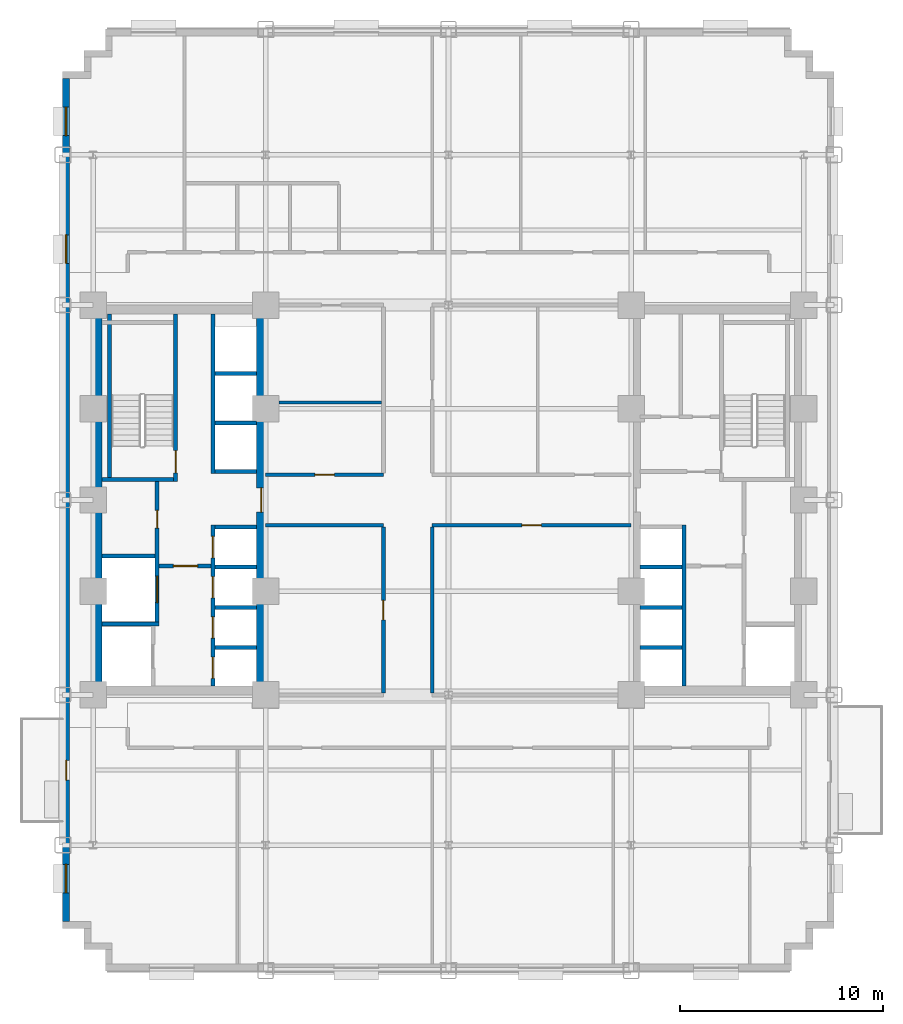
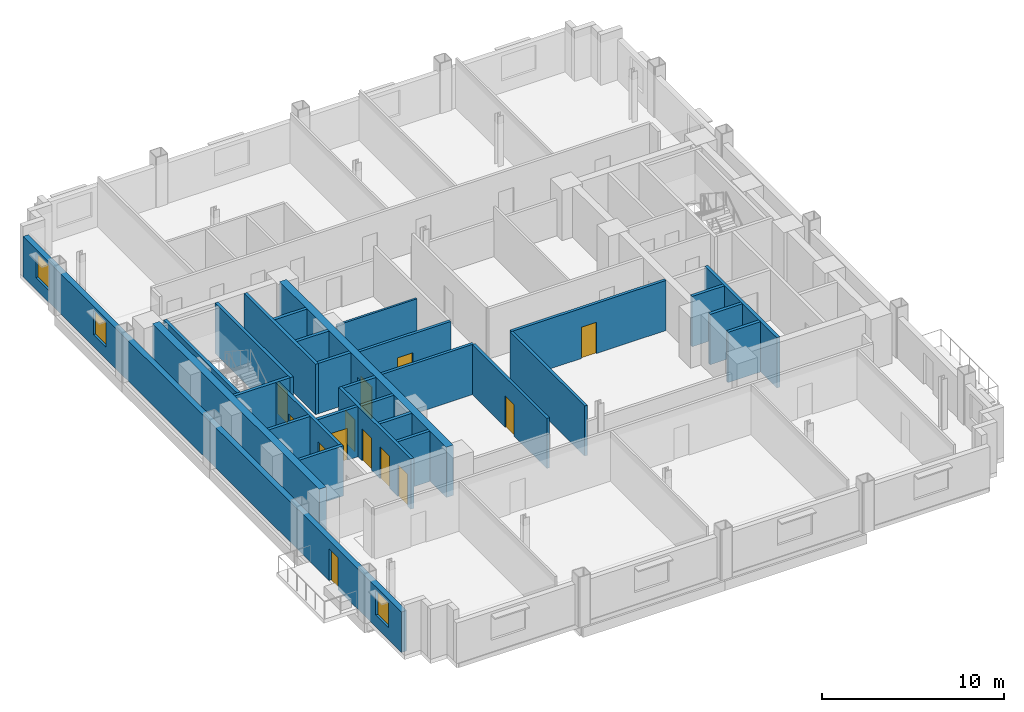
# One storey, part 5 of 12: 29 walls, 13 doors, 3 windows, 16 openings.
"""IFC4 building model written with IfcOpenShell, lengths in metres."""

from ifc_helpers import new_model, si_unit, direction, frame, frame_2d, origin, place, context, subcontext, project, spatial, rectangle, extrude, source, transform, mapped, material, layer, layer_set, type_object, type_shapes, element, fill, save


model = new_model("IFC4")

# Units and contexts
model_context = context("Model", 3, precision=1e-05, world=origin(), true_north=direction((0.0, 1.0)))
body_context = subcontext(model_context, "Body", "Model", "MODEL_VIEW")
ifc_project = project(units=[si_unit("LENGTHUNIT", "METRE"), si_unit("AREAUNIT", "SQUARE_METRE"), si_unit("VOLUMEUNIT", "CUBIC_METRE"), si_unit("PLANEANGLEUNIT", "RADIAN"), si_unit("MASSUNIT", "GRAM", prefix="KILO")], contexts=[model_context])

# Site, building, storey
site_placement = place(None, origin())
site = spatial("IfcSite", under=ifc_project, at=site_placement, CompositionType="ELEMENT")
building_placement = place(site_placement, origin())
building = spatial("IfcBuilding", under=site, at=building_placement, Name="Nuvemarco Arch Tower", CompositionType="ELEMENT")
storey_placement = place(building_placement, frame((0.0, 0.0, 42.199951171875)))
storey = spatial("IfcBuildingStorey", under=building, at=storey_placement, Name="L10", CompositionType="ELEMENT", Elevation=42.199951171875)

# Wall, openings, windows, door
ifc_material_1 = material(Name="Precast concrete C45/55", Category="concrete")
ifc_layer_1 = layer(ifc_material_1, 0.340087890625, Name="EW-LOW-340")
ifc_layer_set_1 = layer_set([ifc_layer_1], Name="Precast concrete C45/55")
wall_type_1 = type_object("IfcWallType", Name="EW-LOW-340", PredefinedType="STANDARD", material=ifc_layer_set_1)
wall_1_placement = place(storey_placement, frame((-18.830078125, -20.763916015625, 0.0), z_axis=(0.0, 0.0, 1.0), x_axis=(0.0, 1.0, 0.0)))
wall_1 = element("IfcWall", 1, at=wall_1_placement, inside=storey, type_object=wall_type_1, Name="L10 exterior precast facade wall 16", PredefinedType="STANDARD", context=body_context, shape_type="SweptSolid", body=[
    extrude(rectangle(XDim=41.52783203125, YDim=0.340087890625, at=frame_2d((20.763916015625, 0.0))), origin(), (0.0, 0.0, 1.0), 2.705078125),
])
opening_1_placement = place(wall_1_placement, frame((6.964111328125, 0.0, 0.0)))
opening_1 = element("IfcOpeningElement", 2, at=opening_1_placement, cuts=wall_1, Name="Opening ED-6", PredefinedType="OPENING", context=body_context, shape_type="SweptSolid", body=[
    extrude(rectangle(XDim=0.97998046875, YDim=2.14990234375, at=frame_2d((0.489990234375, 1.074951171875))), frame((0.0, 0.179931640625, 0.0), z_axis=(0.0, -1.0, 0.0), x_axis=(1.0, 0.0, 0.0)), (0.0, 0.0, 1.0), 0.360107421875),
])
opening_2_placement = place(wall_1_placement, frame((1.42041015625, 0.0, 0.800048828125)))
opening_2 = element("IfcOpeningElement", 3, at=opening_2_placement, cuts=wall_1, Name="Opening WN-4", PredefinedType="OPENING", context=body_context, shape_type="SweptSolid", body=[
    extrude(rectangle(XDim=1.39990234375, YDim=1.64990234375, at=frame_2d((0.699951171875, 0.824951171875))), frame((0.0, 0.179931640625, 0.0), z_axis=(0.0, -1.0, 0.0), x_axis=(1.0, 0.0, 0.0)), (0.0, 0.0, 1.0), 0.360107421875),
])
opening_3_placement = place(wall_1_placement, frame((32.41650390625, 0.0, 0.800048828125)))
opening_3 = element("IfcOpeningElement", 4, at=opening_3_placement, cuts=wall_1, Name="Opening WN-4", PredefinedType="OPENING", context=body_context, shape_type="SweptSolid", body=[
    extrude(rectangle(XDim=1.39990234375, YDim=1.64990234375, at=frame_2d((0.699951171875, 0.824951171875))), frame((0.0, 0.179931640625, 0.0), z_axis=(0.0, -1.0, 0.0), x_axis=(1.0, 0.0, 0.0)), (0.0, 0.0, 1.0), 0.360107421875),
])
opening_4_placement = place(wall_1_placement, frame((38.70751953125, 0.0, 0.800048828125)))
opening_4 = element("IfcOpeningElement", 5, at=opening_4_placement, cuts=wall_1, Name="Opening WN-4", PredefinedType="OPENING", context=body_context, shape_type="SweptSolid", body=[
    extrude(rectangle(XDim=1.39990234375, YDim=1.64990234375, at=frame_2d((0.699951171875, 0.824951171875))), frame((0.0, 0.179931640625, 0.0), z_axis=(0.0, -1.0, 0.0), x_axis=(1.0, 0.0, 0.0)), (0.0, 0.0, 1.0), 0.360107421875),
])
ifc_material_2 = material(Name="Insulated solar-control glass", Category="glass")
window_type = type_object("IfcWindowType", Name="WN-LOW-1400x1650", PartitioningType="SINGLE_PANEL", PredefinedType="WINDOW", material=ifc_material_2)
shared_shape_1 = source(origin(), body_context, "Body", "SweptSolid", [
    extrude(rectangle(XDim=1.39990234375, YDim=1.64990234375, at=frame_2d((0.699951171875, 0.824951171875))), frame((0.0, 0.030029296875, 0.0), z_axis=(0.0, -1.0, 0.0), x_axis=(1.0, 0.0, 0.0)), (0.0, 0.0, 1.0), 0.06005859375),
])
type_shapes(window_type, [shared_shape_1])
window_1_placement = place(opening_2_placement, origin())
window_1 = element("IfcWindow", 6, at=window_1_placement, inside=storey, type_object=window_type, Name="L10 punched facade window 1", OverallHeight=1.64990234375, OverallWidth=1.39990234375, PartitioningType="SINGLE_PANEL", PredefinedType="WINDOW", context=body_context, shape_type="MappedRepresentation", body=[
    mapped(shared_shape_1, transform((0.0, 0.0, 0.0), scale=1.0)),
])
fill(opening_2, window_1)
window_2_placement = place(opening_3_placement, origin())
window_2 = element("IfcWindow", 7, at=window_2_placement, inside=storey, type_object=window_type, Name="L10 punched facade window 7", OverallHeight=1.64990234375, OverallWidth=1.39990234375, PartitioningType="SINGLE_PANEL", PredefinedType="WINDOW", context=body_context, shape_type="MappedRepresentation", body=[
    mapped(shared_shape_1, transform((0.0, 0.0, 0.0), scale=1.0)),
])
fill(opening_3, window_2)
window_3_placement = place(opening_4_placement, origin())
window_3 = element("IfcWindow", 8, at=window_3_placement, inside=storey, type_object=window_type, Name="L10 punched facade window 8", OverallHeight=1.64990234375, OverallWidth=1.39990234375, PartitioningType="SINGLE_PANEL", PredefinedType="WINDOW", context=body_context, shape_type="MappedRepresentation", body=[
    mapped(shared_shape_1, transform((0.0, 0.0, 0.0), scale=1.0)),
])
fill(opening_4, window_3)
ifc_material_3 = material(Name="Anodised bronze and laminated glass", Category="glass")
door_type_1 = type_object("IfcDoorType", Name="DR-EXT-BALC", OperationType="NOTDEFINED", PredefinedType="DOOR", material=ifc_material_3)
shared_shape_2 = source(origin(), body_context, "Body", "SweptSolid", [
    extrude(rectangle(XDim=0.97998046875, YDim=2.14990234375, at=frame_2d((0.489990234375, 1.074951171875))), frame((0.0, 0.02490234375, 0.0), z_axis=(0.0, -1.0, 0.0), x_axis=(1.0, 0.0, 0.0)), (0.0, 0.0, 1.0), 0.050048828125),
])
type_shapes(door_type_1, [shared_shape_2])
door_1_placement = place(opening_1_placement, origin())
door_1 = element("IfcDoor", 9, at=door_1_placement, inside=storey, type_object=door_type_1, Name="L10 tree balcony access door", OperationType="SINGLE_SWING_LEFT", OverallHeight=2.14990234375, OverallWidth=0.97998046875, PredefinedType="DOOR", context=body_context, shape_type="MappedRepresentation", body=[
    mapped(shared_shape_2, transform((0.0, 0.0, 0.0), scale=1.0)),
])
fill(opening_1, door_1)

# Wall
ifc_material_4 = material(Name="Concrete C60/75", Category="concrete")
ifc_layer_2 = layer(ifc_material_4, 0.449951171875, Name="WL-CORE-450")
ifc_layer_set_2 = layer_set([ifc_layer_2], Name="Concrete C60/75")
wall_type_2 = type_object("IfcWallType", Name="WL-CORE-450", PredefinedType="SHEAR", material=ifc_layer_set_2)
wall_2_placement = place(storey_placement, frame((-17.27490234375, -9.155029296875, 0.0), z_axis=(0.0, 0.0, 1.0), x_axis=(0.0, 1.0, 0.0)))
element("IfcWall", 10, at=wall_2_placement, inside=storey, type_object=wall_type_2, Name="L10 W-core shear wall W", PredefinedType="SHEAR", context=body_context, shape_type="SweptSolid", body=[
    extrude(rectangle(XDim=18.31005859375, YDim=0.449951171875, at=frame_2d((9.155029296875, 0.0))), origin(), (0.0, 0.0, 1.0), 3.3701171875),
])

# Wall, opening, door
wall_3_placement = place(storey_placement, frame((-9.22509765625, -9.155029296875, 0.0), z_axis=(0.0, 0.0, 1.0), x_axis=(0.0, 1.0, 0.0)))
wall_3 = element("IfcWall", 11, at=wall_3_placement, inside=storey, type_object=wall_type_2, Name="L10 W-core shear wall E", PredefinedType="SHEAR", context=body_context, shape_type="SweptSolid", body=[
    extrude(rectangle(XDim=18.31005859375, YDim=0.449951171875, at=frame_2d((9.155029296875, 0.0))), origin(), (0.0, 0.0, 1.0), 3.3701171875),
])
opening_5_placement = place(wall_3_placement, frame((8.554931640625, 0.0, 0.0)))
opening_5 = element("IfcOpeningElement", 12, at=opening_5_placement, cuts=wall_3, Name="Opening FD-2", PredefinedType="OPENING", context=body_context, shape_type="SweptSolid", body=[
    extrude(rectangle(XDim=1.199951171875, YDim=2.14990234375, at=frame_2d((0.60009765625, 1.074951171875))), frame((0.0, 0.23486328125, 0.0), z_axis=(0.0, -1.0, 0.0), x_axis=(1.0, 0.0, 0.0)), (0.0, 0.0, 1.0), 0.469970703125),
])
ifc_material_5 = material(Name="Anodised steel fire door", Category="steel")
door_type_2 = type_object("IfcDoorType", Name="DR-FFLOB-FD", OperationType="NOTDEFINED", PredefinedType="DOOR", material=ifc_material_5)
shared_shape_3 = source(origin(), body_context, "Body", "SweptSolid", [
    extrude(rectangle(XDim=1.199951171875, YDim=2.14990234375, at=frame_2d((0.60009765625, 1.074951171875))), frame((0.0, 0.02490234375, 0.0), z_axis=(0.0, -1.0, 0.0), x_axis=(1.0, 0.0, 0.0)), (0.0, 0.0, 1.0), 0.050048828125),
])
type_shapes(door_type_2, [shared_shape_3])
door_2_placement = place(opening_5_placement, origin())
door_2 = element("IfcDoor", 13, at=door_2_placement, inside=storey, type_object=door_type_2, Name="L10 door FD-L10-WCORE-E", OperationType="SINGLE_SWING_RIGHT", OverallHeight=2.14990234375, OverallWidth=1.199951171875, PredefinedType="DOOR", context=body_context, shape_type="MappedRepresentation", body=[
    mapped(shared_shape_3, transform((0.0, 0.0, 0.0), scale=1.0)),
])
fill(opening_5, door_2)

# Wall
ifc_material_6 = material(Name="Fire-rated gypsum drywall partition")
ifc_layer_3 = layer(ifc_material_6, 0.179931640625, Name="WL-CORR-180")
ifc_layer_set_3 = layer_set([ifc_layer_3], Name="Fire-rated gypsum drywall partition")
wall_type_3 = type_object("IfcWallType", Name="WL-CORR-180", PredefinedType="PARTITIONING", material=ifc_layer_set_3)
wall_4_placement = place(storey_placement, frame((-9.0, -1.25, 0.0), z_axis=(0.0, 0.0, 1.0), x_axis=(1.0, 0.0, 0.0)))
element("IfcWall", 14, at=wall_4_placement, inside=storey, type_object=wall_type_3, Name="L10 interior wall IW-L10-005", PredefinedType="PARTITIONING", context=body_context, shape_type="SweptSolid", body=[
    extrude(rectangle(XDim=5.800048828125, YDim=0.179931640625, at=frame_2d((2.89990234375, 0.0))), origin(), (0.0, 0.0, 1.0), 3.360107421875),
])

# Wall, opening, door
wall_5_placement = place(storey_placement, frame((-0.800048828125, -1.25, 0.0), z_axis=(0.0, 0.0, 1.0), x_axis=(1.0, 0.0, 0.0)))
wall_5 = element("IfcWall", 15, at=wall_5_placement, inside=storey, type_object=wall_type_3, Name="L10 interior wall IW-L10-006", PredefinedType="PARTITIONING", context=body_context, shape_type="SweptSolid", body=[
    extrude(rectangle(XDim=9.800048828125, YDim=0.179931640625, at=frame_2d((4.89990234375, 0.0))), origin(), (0.0, 0.0, 1.0), 3.360107421875),
])
opening_6_placement = place(wall_5_placement, frame((4.419921875, 0.0, 0.0)))
opening_6 = element("IfcOpeningElement", 16, at=opening_6_placement, cuts=wall_5, Name="Opening FD-5", PredefinedType="OPENING", context=body_context, shape_type="SweptSolid", body=[
    extrude(rectangle(XDim=0.9599609375, YDim=2.10009765625, at=frame_2d((0.47998046875, 1.050048828125))), frame((0.0, 0.099853515625, 0.0), z_axis=(0.0, -1.0, 0.0), x_axis=(1.0, 0.0, 0.0)), (0.0, 0.0, 1.0), 0.199951171875),
])
ifc_material_7 = material(Name="Timber fire door", Category="wood")
door_type_3 = type_object("IfcDoorType", Name="DR-CORR-FD", OperationType="NOTDEFINED", PredefinedType="DOOR", material=ifc_material_7)
shared_shape_4 = source(origin(), body_context, "Body", "SweptSolid", [
    extrude(rectangle(XDim=0.9599609375, YDim=2.10009765625, at=frame_2d((0.47998046875, 1.050048828125))), frame((0.0, 0.02490234375, 0.0), z_axis=(0.0, -1.0, 0.0), x_axis=(1.0, 0.0, 0.0)), (0.0, 0.0, 1.0), 0.050048828125),
])
type_shapes(door_type_3, [shared_shape_4])
door_3_placement = place(opening_6_placement, origin())
door_3 = element("IfcDoor", 17, at=door_3_placement, inside=storey, type_object=door_type_3, Name="L10 door DR-L10-C_SE", OperationType="SINGLE_SWING_LEFT", OverallHeight=2.10009765625, OverallWidth=0.9599609375, PredefinedType="DOOR", context=body_context, shape_type="MappedRepresentation", body=[
    mapped(shared_shape_4, transform((0.0, 0.0, 0.0), scale=1.0)),
])
fill(opening_6, door_3)

wall_6_placement = place(storey_placement, frame((-9.0, 1.25, 0.0), z_axis=(0.0, 0.0, 1.0), x_axis=(1.0, 0.0, 0.0)))
wall_6 = element("IfcWall", 18, at=wall_6_placement, inside=storey, type_object=wall_type_3, Name="L10 interior wall IW-L10-007", PredefinedType="PARTITIONING", context=body_context, shape_type="SweptSolid", body=[
    extrude(rectangle(XDim=5.800048828125, YDim=0.179931640625, at=frame_2d((2.89990234375, 0.0))), origin(), (0.0, 0.0, 1.0), 3.360107421875),
])
opening_7_placement = place(wall_6_placement, frame((2.419921875, 0.0, 0.0)))
opening_7 = element("IfcOpeningElement", 19, at=opening_7_placement, cuts=wall_6, Name="Opening FD-5", PredefinedType="OPENING", context=body_context, shape_type="SweptSolid", body=[
    extrude(rectangle(XDim=0.9599609375, YDim=2.10009765625, at=frame_2d((0.47998046875, 1.050048828125))), frame((0.0, 0.099853515625, 0.0), z_axis=(0.0, -1.0, 0.0), x_axis=(1.0, 0.0, 0.0)), (0.0, 0.0, 1.0), 0.199951171875),
])
door_4_placement = place(opening_7_placement, origin())
door_4 = element("IfcDoor", 20, at=door_4_placement, inside=storey, type_object=door_type_3, Name="L10 door DR-L10-C_NW1", OperationType="SINGLE_SWING_LEFT", OverallHeight=2.10009765625, OverallWidth=0.9599609375, PredefinedType="DOOR", context=body_context, shape_type="MappedRepresentation", body=[
    mapped(shared_shape_4, transform((0.0, 0.0, 0.0), scale=1.0)),
])
fill(opening_7, door_4)

wall_7_placement = place(storey_placement, frame((-3.199951171875, -9.513916015625, 0.0), z_axis=(0.0, 0.0, 1.0), x_axis=(0.0, 1.0, 0.0)))
wall_7 = element("IfcWall", 21, at=wall_7_placement, inside=storey, type_object=wall_type_3, Name="L10 interior wall IW-L10-022", PredefinedType="PARTITIONING", context=body_context, shape_type="SweptSolid", body=[
    extrude(rectangle(XDim=8.177978515625, YDim=0.179931640625, at=frame_2d((4.0888671875, 0.0))), origin(), (0.0, 0.0, 1.0), 3.360107421875),
])
opening_8_placement = place(wall_7_placement, frame((3.60888671875, 0.0, 0.0)))
opening_8 = element("IfcOpeningElement", 22, at=opening_8_placement, cuts=wall_7, Name="Opening FD-5", PredefinedType="OPENING", context=body_context, shape_type="SweptSolid", body=[
    extrude(rectangle(XDim=0.9599609375, YDim=2.10009765625, at=frame_2d((0.47998046875, 1.050048828125))), frame((0.0, 0.099853515625, 0.0), z_axis=(0.0, -1.0, 0.0), x_axis=(1.0, 0.0, 0.0)), (0.0, 0.0, 1.0), 0.199951171875),
])
door_5_placement = place(opening_8_placement, origin())
door_5 = element("IfcDoor", 23, at=door_5_placement, inside=storey, type_object=door_type_3, Name="L10 door DR-L10-C_SW", OperationType="SINGLE_SWING_LEFT", OverallHeight=2.10009765625, OverallWidth=0.9599609375, PredefinedType="DOOR", context=body_context, shape_type="MappedRepresentation", body=[
    mapped(shared_shape_4, transform((0.0, 0.0, 0.0), scale=1.0)),
])
fill(opening_8, door_5)

# Walls
wall_8_placement = place(storey_placement, frame((-0.800048828125, -9.513916015625, 0.0), z_axis=(0.0, 0.0, 1.0), x_axis=(0.0, 1.0, 0.0)))
element("IfcWall", 24, at=wall_8_placement, inside=storey, type_object=wall_type_3, Name="L10 interior wall IW-L10-025", PredefinedType="PARTITIONING", context=body_context, shape_type="SweptSolid", body=[
    extrude(rectangle(XDim=8.177978515625, YDim=0.179931640625, at=frame_2d((4.0888671875, 0.0))), origin(), (0.0, 0.0, 1.0), 3.360107421875),
])
ifc_material_8 = material(Name="Glazed acoustic office partition")
ifc_layer_4 = layer(ifc_material_8, 0.1298828125, Name="WL-EXEC-130")
ifc_layer_set_4 = layer_set([ifc_layer_4], Name="Glazed acoustic office partition")
wall_type_4 = type_object("IfcWallType", Name="WL-EXEC-130", PredefinedType="PARTITIONING", material=ifc_layer_set_4)
wall_9_placement = place(storey_placement, frame((-8.35400390625, 4.800048828125, 0.0), z_axis=(0.0, 0.0, 1.0), x_axis=(1.0, 0.0, 0.0)))
element("IfcWall", 25, at=wall_9_placement, inside=storey, type_object=wall_type_4, Name="L10 interior wall IW-L10-009", PredefinedType="PARTITIONING", context=body_context, shape_type="SweptSolid", body=[
    extrude(rectangle(XDim=5.068115234375, YDim=0.1298828125, at=frame_2d((2.5341796875, 0.0))), origin(), (0.0, 0.0, 1.0), 2.738037109375),
])

# Wall, opening, door
ifc_material_9 = material(Name="Concrete C50/60", Category="concrete")
ifc_layer_5 = layer(ifc_material_9, 0.199951171875, Name="WL-SHAFT-220")
ifc_layer_set_5 = layer_set([ifc_layer_5], Name="Concrete C50/60")
wall_type_5 = type_object("IfcWallType", Name="WL-SHAFT-220", PredefinedType="SHEAR", material=ifc_layer_set_5)
wall_10_placement = place(storey_placement, frame((-13.43994140625, 0.89990234375, 0.0), z_axis=(0.0, 0.0, 1.0), x_axis=(0.0, 1.0, 0.0)))
wall_10 = element("IfcWall", 26, at=wall_10_placement, inside=storey, type_object=wall_type_5, Name="L10 structural shaft wall SW-L10-W-ST1E", PredefinedType="SHEAR", context=body_context, shape_type="SweptSolid", body=[
    extrude(rectangle(XDim=8.255126953125, YDim=0.199951171875, at=frame_2d((4.12744140625, 0.0))), origin(), (0.0, 0.0, 1.0), 3.3701171875),
])
opening_9_placement = place(wall_10_placement, frame((1.530029296875, 0.0, 0.0), z_axis=(0.0, 0.0, 1.0), x_axis=(-1.0, 0.0, 0.0)))
opening_9 = element("IfcOpeningElement", 27, at=opening_9_placement, cuts=wall_10, Name="Opening FD-1", PredefinedType="OPENING", context=body_context, shape_type="SweptSolid", body=[
    extrude(rectangle(XDim=1.10009765625, YDim=2.14990234375, at=frame_2d((0.550048828125, 1.074951171875))), frame((0.0, 0.10986328125, 0.0), z_axis=(0.0, -1.0, 0.0), x_axis=(1.0, 0.0, 0.0)), (0.0, 0.0, 1.0), 0.219970703125),
])
door_type_4 = type_object("IfcDoorType", Name="DR-STAIR-FD", OperationType="NOTDEFINED", PredefinedType="DOOR", material=ifc_material_5)
shared_shape_5 = source(origin(), body_context, "Body", "SweptSolid", [
    extrude(rectangle(XDim=1.10009765625, YDim=2.14990234375, at=frame_2d((0.550048828125, 1.074951171875))), frame((0.0, 0.02490234375, 0.0), z_axis=(0.0, -1.0, 0.0), x_axis=(1.0, 0.0, 0.0)), (0.0, 0.0, 1.0), 0.050048828125),
])
type_shapes(door_type_4, [shared_shape_5])
door_6_placement = place(opening_9_placement, origin())
door_6 = element("IfcDoor", 28, at=door_6_placement, inside=storey, type_object=door_type_4, Name="L10 door FD-L10-ST1", OperationType="SINGLE_SWING_RIGHT", OverallHeight=2.14990234375, OverallWidth=1.10009765625, PredefinedType="DOOR", context=body_context, shape_type="MappedRepresentation", body=[
    mapped(shared_shape_5, transform((0.0, 0.0, 0.0), scale=1.0)),
])
fill(opening_9, door_6)

# Walls
wall_11_placement = place(storey_placement, frame((-17.054931640625, 1.0, 0.0), z_axis=(0.0, 0.0, 1.0), x_axis=(1.0, 0.0, 0.0)))
element("IfcWall", 29, at=wall_11_placement, inside=storey, type_object=wall_type_5, Name="L10 structural shaft wall SW-L10-W-ST1S", PredefinedType="SHEAR", context=body_context, shape_type="SweptSolid", body=[
    extrude(rectangle(XDim=3.52001953125, YDim=0.199951171875, at=frame_2d((1.760009765625, 0.0))), origin(), (0.0, 0.0, 1.0), 3.3701171875),
])
wall_12_placement = place(storey_placement, frame((-16.699951171875, 1.094970703125, 0.0), z_axis=(0.0, 0.0, 1.0), x_axis=(0.0, 1.0, 0.0)))
element("IfcWall", 30, at=wall_12_placement, inside=storey, type_object=wall_type_5, Name="L10 structural shaft wall SW-L10-W-ST1W", PredefinedType="SHEAR", context=body_context, shape_type="SweptSolid", body=[
    extrude(rectangle(XDim=8.06005859375, YDim=0.199951171875, at=frame_2d((4.030029296875, 0.0))), origin(), (0.0, 0.0, 1.0), 3.3701171875),
])

# Wall, openings, doors
wall_13_placement = place(storey_placement, frame((-14.35009765625, -6.199951171875, 0.0), z_axis=(0.0, 0.0, 1.0), x_axis=(0.0, 1.0, 0.0)))
wall_13 = element("IfcWall", 31, at=wall_13_placement, inside=storey, type_object=wall_type_5, Name="L10 structural shaft wall SW-L10-W-SVE", PredefinedType="SHEAR", context=body_context, shape_type="SweptSolid", body=[
    extrude(rectangle(XDim=7.10498046875, YDim=0.199951171875, at=frame_2d((3.552490234375, 0.0))), origin(), (0.0, 0.0, 1.0), 3.3701171875),
])
opening_10_placement = place(wall_13_placement, frame((5.68994140625, 0.0, 0.0), z_axis=(0.0, 0.0, 1.0), x_axis=(-1.0, 0.0, 0.0)))
opening_10 = element("IfcOpeningElement", 32, at=opening_10_placement, cuts=wall_13, Name="Opening FD-4", PredefinedType="OPENING", context=body_context, shape_type="SweptSolid", body=[
    extrude(rectangle(XDim=0.8798828125, YDim=2.10009765625, at=frame_2d((0.43994140625, 1.050048828125))), frame((0.0, 0.10986328125, 0.0), z_axis=(0.0, -1.0, 0.0), x_axis=(1.0, 0.0, 0.0)), (0.0, 0.0, 1.0), 0.219970703125),
])
opening_11_placement = place(wall_13_placement, frame((1.14990234375, 0.0, 0.0)))
opening_11 = element("IfcOpeningElement", 33, at=opening_11_placement, cuts=wall_13, Name="Opening LD-3", PredefinedType="OPENING", context=body_context, shape_type="SweptSolid", body=[
    extrude(rectangle(XDim=1.300048828125, YDim=2.199951171875, at=frame_2d((0.64990234375, 1.10009765625))), frame((0.0, 0.10986328125, 0.0), z_axis=(0.0, -1.0, 0.0), x_axis=(1.0, 0.0, 0.0)), (0.0, 0.0, 1.0), 0.219970703125),
])
door_type_5 = type_object("IfcDoorType", Name="DR-RISER-FD", OperationType="NOTDEFINED", PredefinedType="DOOR", material=ifc_material_5)
shared_shape_6 = source(origin(), body_context, "Body", "SweptSolid", [
    extrude(rectangle(XDim=0.8798828125, YDim=2.10009765625, at=frame_2d((0.43994140625, 1.050048828125))), frame((0.0, 0.02490234375, 0.0), z_axis=(0.0, -1.0, 0.0), x_axis=(1.0, 0.0, 0.0)), (0.0, 0.0, 1.0), 0.050048828125),
])
type_shapes(door_type_5, [shared_shape_6])
door_7_placement = place(opening_10_placement, origin())
door_7 = element("IfcDoor", 34, at=door_7_placement, inside=storey, type_object=door_type_5, Name="L10 door FD-L10-WRIS", OperationType="SINGLE_SWING_RIGHT", OverallHeight=2.10009765625, OverallWidth=0.8798828125, PredefinedType="DOOR", context=body_context, shape_type="MappedRepresentation", body=[
    mapped(shared_shape_6, transform((0.0, 0.0, 0.0), scale=1.0)),
])
fill(opening_10, door_7)
ifc_material_10 = material(Name="Stainless steel lift door", Category="steel")
door_type_6 = type_object("IfcDoorType", Name="DR-LIFT-SERV", OperationType="DOUBLE_DOOR_SLIDING", PredefinedType="DOOR", material=ifc_material_10)
shared_shape_7 = source(origin(), body_context, "Body", "SweptSolid", [
    extrude(rectangle(XDim=1.300048828125, YDim=2.199951171875, at=frame_2d((0.64990234375, 1.10009765625))), frame((0.0, 0.02490234375, 0.0), z_axis=(0.0, -1.0, 0.0), x_axis=(1.0, 0.0, 0.0)), (0.0, 0.0, 1.0), 0.050048828125),
])
type_shapes(door_type_6, [shared_shape_7])
door_8_placement = place(opening_11_placement, origin())
door_8 = element("IfcDoor", 35, at=door_8_placement, inside=storey, type_object=door_type_6, Name="L10 Lift landing sliding door SVL-1", OperationType="DOUBLE_DOOR_SLIDING", OverallHeight=2.199951171875, OverallWidth=1.300048828125, PredefinedType="DOOR", context=body_context, shape_type="MappedRepresentation", body=[
    mapped(shared_shape_7, transform((0.0, 0.0, 0.0), scale=1.0)),
])
fill(opening_11, door_8)

# Walls
wall_14_placement = place(storey_placement, frame((-17.054931640625, -6.10009765625, 0.0), z_axis=(0.0, 0.0, 1.0), x_axis=(1.0, 0.0, 0.0)))
element("IfcWall", 36, at=wall_14_placement, inside=storey, type_object=wall_type_5, Name="L10 structural shaft wall SW-L10-W-SH1", PredefinedType="SHEAR", context=body_context, shape_type="SweptSolid", body=[
    extrude(rectangle(XDim=2.804931640625, YDim=0.199951171875, at=frame_2d((1.40234375, 0.0))), origin(), (0.0, 0.0, 1.0), 3.3701171875),
])
wall_15_placement = place(storey_placement, frame((-17.054931640625, -2.75, 0.0), z_axis=(0.0, 0.0, 1.0), x_axis=(1.0, 0.0, 0.0)))
element("IfcWall", 37, at=wall_15_placement, inside=storey, type_object=wall_type_5, Name="L10 structural shaft wall SW-L10-W-SH2", PredefinedType="SHEAR", context=body_context, shape_type="SweptSolid", body=[
    extrude(rectangle(XDim=2.60986328125, YDim=0.199951171875, at=frame_2d((1.304931640625, 0.0))), origin(), (0.0, 0.0, 1.0), 3.3701171875),
])

# Wall, openings, doors
wall_16_placement = place(storey_placement, frame((-11.60009765625, -9.155029296875, 0.0), z_axis=(0.0, 0.0, 1.0), x_axis=(0.0, 1.0, 0.0)))
wall_16 = element("IfcWall", 38, at=wall_16_placement, inside=storey, type_object=wall_type_5, Name="L10 structural shaft wall SW-L10-W-PLW", PredefinedType="SHEAR", context=body_context, shape_type="SweptSolid", body=[
    extrude(rectangle(XDim=7.925048828125, YDim=0.199951171875, at=frame_2d((3.96240234375, 0.0))), origin(), (0.0, 0.0, 1.0), 3.3701171875),
])
opening_12_placement = place(wall_16_placement, frame((0.3701171875, 0.0, 0.0)))
opening_12 = element("IfcOpeningElement", 39, at=opening_12_placement, cuts=wall_16, Name="Opening LD-1", PredefinedType="OPENING", context=body_context, shape_type="SweptSolid", body=[
    extrude(rectangle(XDim=1.050048828125, YDim=2.14990234375, at=frame_2d((0.52490234375, 1.074951171875))), frame((0.0, 0.10986328125, 0.0), z_axis=(0.0, -1.0, 0.0), x_axis=(1.0, 0.0, 0.0)), (0.0, 0.0, 1.0), 0.219970703125),
])
opening_13_placement = place(wall_16_placement, frame((2.35009765625, 0.0, 0.0)))
opening_13 = element("IfcOpeningElement", 40, at=opening_13_placement, cuts=wall_16, Name="Opening LD-1", PredefinedType="OPENING", context=body_context, shape_type="SweptSolid", body=[
    extrude(rectangle(XDim=1.050048828125, YDim=2.14990234375, at=frame_2d((0.52490234375, 1.074951171875))), frame((0.0, 0.10986328125, 0.0), z_axis=(0.0, -1.0, 0.0), x_axis=(1.0, 0.0, 0.0)), (0.0, 0.0, 1.0), 0.219970703125),
])
opening_14_placement = place(wall_16_placement, frame((4.330078125, 0.0, 0.0)))
opening_14 = element("IfcOpeningElement", 41, at=opening_14_placement, cuts=wall_16, Name="Opening LD-1", PredefinedType="OPENING", context=body_context, shape_type="SweptSolid", body=[
    extrude(rectangle(XDim=1.050048828125, YDim=2.14990234375, at=frame_2d((0.52490234375, 1.074951171875))), frame((0.0, 0.10986328125, 0.0), z_axis=(0.0, -1.0, 0.0), x_axis=(1.0, 0.0, 0.0)), (0.0, 0.0, 1.0), 0.219970703125),
])
opening_15_placement = place(wall_16_placement, frame((6.31005859375, 0.0, 0.0)))
opening_15 = element("IfcOpeningElement", 42, at=opening_15_placement, cuts=wall_16, Name="Opening LD-1", PredefinedType="OPENING", context=body_context, shape_type="SweptSolid", body=[
    extrude(rectangle(XDim=1.050048828125, YDim=2.14990234375, at=frame_2d((0.52490234375, 1.074951171875))), frame((0.0, 0.10986328125, 0.0), z_axis=(0.0, -1.0, 0.0), x_axis=(1.0, 0.0, 0.0)), (0.0, 0.0, 1.0), 0.219970703125),
])
door_type_7 = type_object("IfcDoorType", Name="DR-LIFT-PASS", OperationType="DOUBLE_DOOR_SLIDING", PredefinedType="DOOR", material=ifc_material_10)
shared_shape_8 = source(origin(), body_context, "Body", "SweptSolid", [
    extrude(rectangle(XDim=1.050048828125, YDim=2.14990234375, at=frame_2d((0.52490234375, 1.074951171875))), frame((0.0, 0.02490234375, 0.0), z_axis=(0.0, -1.0, 0.0), x_axis=(1.0, 0.0, 0.0)), (0.0, 0.0, 1.0), 0.050048828125),
])
type_shapes(door_type_7, [shared_shape_8])
door_9_placement = place(opening_12_placement, origin())
door_9 = element("IfcDoor", 43, at=door_9_placement, inside=storey, type_object=door_type_7, Name="L10 Lift landing sliding door PL-1", OperationType="DOUBLE_DOOR_SLIDING", OverallHeight=2.14990234375, OverallWidth=1.050048828125, PredefinedType="DOOR", context=body_context, shape_type="MappedRepresentation", body=[
    mapped(shared_shape_8, transform((0.0, 0.0, 0.0), scale=1.0)),
])
fill(opening_12, door_9)
door_10_placement = place(opening_13_placement, origin())
door_10 = element("IfcDoor", 44, at=door_10_placement, inside=storey, type_object=door_type_7, Name="L10 Lift landing sliding door PL-2", OperationType="DOUBLE_DOOR_SLIDING", OverallHeight=2.14990234375, OverallWidth=1.050048828125, PredefinedType="DOOR", context=body_context, shape_type="MappedRepresentation", body=[
    mapped(shared_shape_8, transform((0.0, 0.0, 0.0), scale=1.0)),
])
fill(opening_13, door_10)
door_11_placement = place(opening_14_placement, origin())
door_11 = element("IfcDoor", 45, at=door_11_placement, inside=storey, type_object=door_type_7, Name="L10 Lift landing sliding door PL-3", OperationType="DOUBLE_DOOR_SLIDING", OverallHeight=2.14990234375, OverallWidth=1.050048828125, PredefinedType="DOOR", context=body_context, shape_type="MappedRepresentation", body=[
    mapped(shared_shape_8, transform((0.0, 0.0, 0.0), scale=1.0)),
])
fill(opening_14, door_11)
door_12_placement = place(opening_15_placement, origin())
door_12 = element("IfcDoor", 46, at=door_12_placement, inside=storey, type_object=door_type_7, Name="L10 Lift landing sliding door PL-4", OperationType="DOUBLE_DOOR_SLIDING", OverallHeight=2.14990234375, OverallWidth=1.050048828125, PredefinedType="DOOR", context=body_context, shape_type="MappedRepresentation", body=[
    mapped(shared_shape_8, transform((0.0, 0.0, 0.0), scale=1.0)),
])
fill(opening_15, door_12)

# Wall, opening, door
wall_17_placement = place(storey_placement, frame((-14.2548828125, -3.25, 0.0), z_axis=(0.0, 0.0, 1.0), x_axis=(1.0, 0.0, 0.0)))
wall_17 = element("IfcWall", 47, at=wall_17_placement, inside=storey, type_object=wall_type_5, Name="L10 structural shaft wall SW-L10-W-FFN", PredefinedType="SHEAR", context=body_context, shape_type="SweptSolid", body=[
    extrude(rectangle(XDim=2.559814453125, YDim=0.199951171875, at=frame_2d((1.27978515625, 0.0))), origin(), (0.0, 0.0, 1.0), 3.3701171875),
])
opening_16_placement = place(wall_17_placement, frame((0.705078125, 0.0, 0.0)))
opening_16 = element("IfcOpeningElement", 48, at=opening_16_placement, cuts=wall_17, Name="Opening FD-2", PredefinedType="OPENING", context=body_context, shape_type="SweptSolid", body=[
    extrude(rectangle(XDim=1.199951171875, YDim=2.14990234375, at=frame_2d((0.60009765625, 1.074951171875))), frame((0.0, 0.10986328125, 0.0), z_axis=(0.0, -1.0, 0.0), x_axis=(1.0, 0.0, 0.0)), (0.0, 0.0, 1.0), 0.219970703125),
])
door_13_placement = place(opening_16_placement, origin())
door_13 = element("IfcDoor", 49, at=door_13_placement, inside=storey, type_object=door_type_2, Name="L10 door FD-L10-WFF1", OperationType="SINGLE_SWING_RIGHT", OverallHeight=2.14990234375, OverallWidth=1.199951171875, PredefinedType="DOOR", context=body_context, shape_type="MappedRepresentation", body=[
    mapped(shared_shape_3, transform((0.0, 0.0, 0.0), scale=1.0)),
])
fill(opening_16, door_13)

# Walls
for number, where, z_axis, x_axis, name in (
    (50, (-11.5048828125, -7.27001953125, 0.0), (0.0, 0.0, 1.0), (1.0, 0.0, 0.0), "L10 structural shaft wall SW-L10-W-PLD1"),
    (51, (-11.5048828125, -5.2900390625, 0.0), (0.0, 0.0, 1.0), (1.0, 0.0, 0.0), "L10 structural shaft wall SW-L10-W-PLD2"),
    (52, (-11.5048828125, -3.31005859375, 0.0), (0.0, 0.0, 1.0), (1.0, 0.0, 0.0), "L10 structural shaft wall SW-L10-W-PLD3"),
    (53, (-11.5048828125, -1.330078125, 0.0), (0.0, 0.0, 1.0), (1.0, 0.0, 0.0), "L10 structural shaft wall SW-L10-W-PLD4"),
):
    element("IfcWall", number, at=place(storey_placement, frame(where, z_axis=z_axis, x_axis=x_axis)), inside=storey, type_object=wall_type_5, Name=name, PredefinedType="SHEAR", context=body_context, shape_type="SweptSolid", body=[
        extrude(rectangle(XDim=2.059814453125, YDim=0.199951171875, at=frame_2d((1.02978515625, 0.0))), origin(), (0.0, 0.0, 1.0), 3.3701171875),
    ])
wall_18_placement = place(storey_placement, frame((-11.60009765625, 1.300048828125, 0.0), z_axis=(0.0, 0.0, 1.0), x_axis=(0.0, 1.0, 0.0)))
element("IfcWall", 54, at=wall_18_placement, inside=storey, type_object=wall_type_5, Name="L10 structural shaft wall SW-L10-W-PHW", PredefinedType="SHEAR", context=body_context, shape_type="SweptSolid", body=[
    extrude(rectangle(XDim=7.85498046875, YDim=0.199951171875, at=frame_2d((3.927490234375, 0.0))), origin(), (0.0, 0.0, 1.0), 3.3701171875),
])
for number, where, z_axis, x_axis, name in (
    (55, (-11.5048828125, 1.39990234375, 0.0), (0.0, 0.0, 1.0), (1.0, 0.0, 0.0), "L10 structural shaft wall SW-L10-W-PHD1"),
    (56, (-11.5048828125, 3.800048828125, 0.0), (0.0, 0.0, 1.0), (1.0, 0.0, 0.0), "L10 structural shaft wall SW-L10-W-PHD2"),
    (57, (-11.5048828125, 6.219970703125, 0.0), (0.0, 0.0, 1.0), (1.0, 0.0, 0.0), "L10 structural shaft wall SW-L10-W-PHD3"),
):
    element("IfcWall", number, at=place(storey_placement, frame(where, z_axis=z_axis, x_axis=x_axis)), inside=storey, type_object=wall_type_5, Name=name, PredefinedType="SHEAR", context=body_context, shape_type="SweptSolid", body=[
        extrude(rectangle(XDim=2.059814453125, YDim=0.199951171875, at=frame_2d((1.02978515625, 0.0))), origin(), (0.0, 0.0, 1.0), 3.3701171875),
    ])
wall_19_placement = place(storey_placement, frame((11.60009765625, -9.155029296875, 0.0), z_axis=(0.0, 0.0, 1.0), x_axis=(0.0, 1.0, 0.0)))
element("IfcWall", 58, at=wall_19_placement, inside=storey, type_object=wall_type_5, Name="L10 structural shaft wall SW-L10-E-PME", PredefinedType="SHEAR", context=body_context, shape_type="SweptSolid", body=[
    extrude(rectangle(XDim=7.925048828125, YDim=0.199951171875, at=frame_2d((3.96240234375, 0.0))), origin(), (0.0, 0.0, 1.0), 3.3701171875),
])
for number, where, z_axis, x_axis, name in (
    (59, (9.445068359375, -7.27001953125, 0.0), (0.0, 0.0, 1.0), (1.0, 0.0, 0.0), "L10 structural shaft wall SW-L10-E-PMD1"),
    (60, (9.445068359375, -5.2900390625, 0.0), (0.0, 0.0, 1.0), (1.0, 0.0, 0.0), "L10 structural shaft wall SW-L10-E-PMD2"),
    (61, (9.445068359375, -3.31005859375, 0.0), (0.0, 0.0, 1.0), (1.0, 0.0, 0.0), "L10 structural shaft wall SW-L10-E-PMD3"),
):
    element("IfcWall", number, at=place(storey_placement, frame(where, z_axis=z_axis, x_axis=x_axis)), inside=storey, type_object=wall_type_5, Name=name, PredefinedType="SHEAR", context=body_context, shape_type="SweptSolid", body=[
        extrude(rectangle(XDim=2.059814453125, YDim=0.199951171875, at=frame_2d((1.02978515625, 0.0))), origin(), (0.0, 0.0, 1.0), 3.3701171875),
    ])

save(model, "model.ifc")
